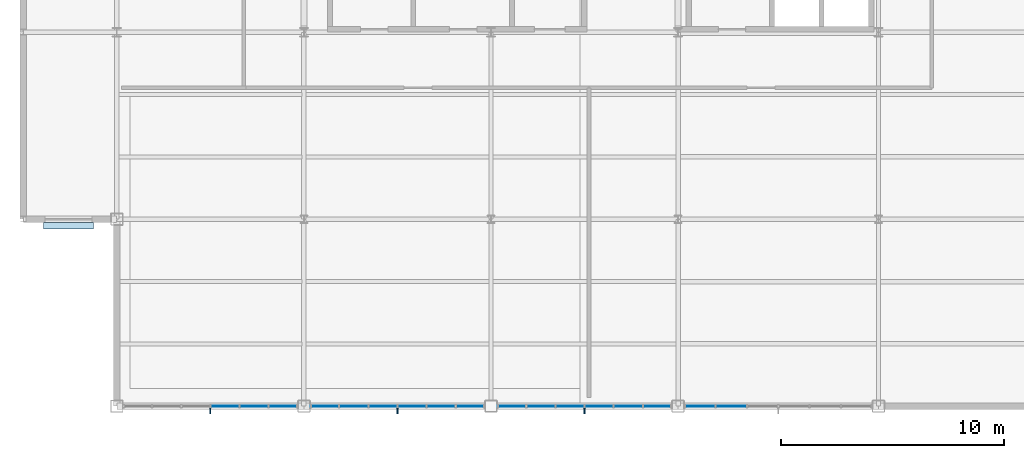
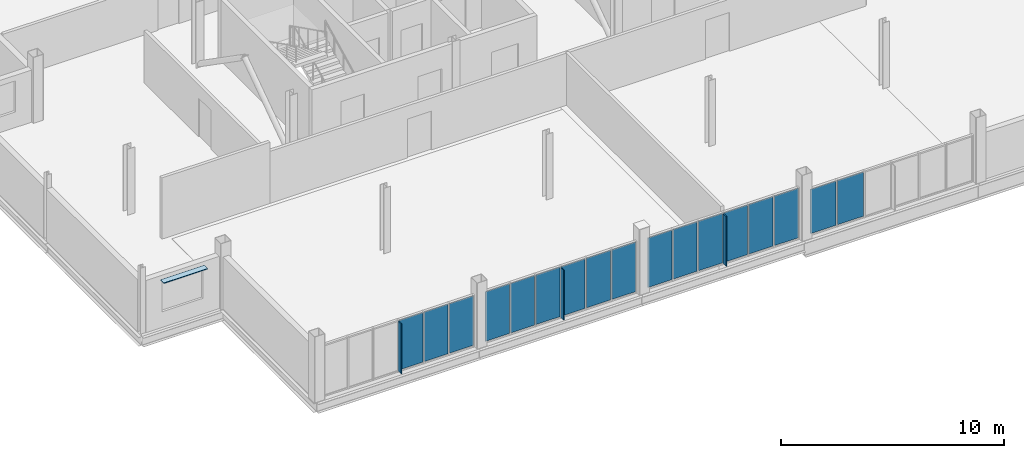
# One storey, part 11 of 18: 21 plates, 4 elements without a shape of their own.
"""IFC4 building model written with IfcOpenShell, lengths in metres."""

from ifc_helpers import new_model, si_unit, direction, frame, origin, origin_2d, place, context, subcontext, project, spatial, rectangle, extrude, material, layer, layer_set, type_object, element, aggregate, save


model = new_model("IFC4")

# Units and contexts
model_context = context("Model", 3, precision=1e-05, world=origin(), true_north=direction((0.0, 1.0)))
body_context = subcontext(model_context, "Body", "Model", "MODEL_VIEW")
ifc_project = project(units=[si_unit("LENGTHUNIT", "METRE"), si_unit("AREAUNIT", "SQUARE_METRE"), si_unit("VOLUMEUNIT", "CUBIC_METRE"), si_unit("PLANEANGLEUNIT", "RADIAN"), si_unit("MASSUNIT", "GRAM", prefix="KILO")], contexts=[model_context])

# Site, building, storey
site_placement = place(None, origin())
site = spatial("IfcSite", under=ifc_project, at=site_placement, CompositionType="ELEMENT")
building_placement = place(site_placement, origin())
building = spatial("IfcBuilding", under=site, at=building_placement, Name="Yukiwa Park Conservatory and Herbarium", CompositionType="ELEMENT")
storey_placement = place(building_placement, frame((0.0, 0.0, 24.60009765625)))
storey = spatial("IfcBuildingStorey", under=building, at=storey_placement, Name="L06", CompositionType="ELEMENT", Elevation=24.60009765625)

# Curtain wall, plates
ifc_material_1 = material(Name="Triple Low-E Insulated Glass", Category="glass")
ifc_layer_1 = layer(ifc_material_1, 0.248046875)
ifc_layer_set_1 = layer_set([ifc_layer_1], Name="Triple Low-E Insulated Glass")
curtain_wall_type = type_object("IfcCurtainWallType", Name="CW-TOWER-LAB-S-1400", PredefinedType="NOTDEFINED", material=ifc_layer_set_1)
curtain_wall_1_placement = place(storey_placement, origin())
curtain_wall_1 = element("IfcCurtainWall", 1, at=curtain_wall_1_placement, inside=storey, type_object=curtain_wall_type, Name="L06 unitised curtain wall CW-L06-082", PredefinedType="NOTDEFINED")
ifc_material_2 = material(Name="Triple Low-E Insulated Glass", Category="glass")
ifc_layer_2 = layer(ifc_material_2, 0.035888671875)
ifc_layer_set_2 = layer_set([ifc_layer_2], Name="Triple Low-E Insulated Glass")
plate_type_1 = type_object("IfcPlateType", Name="PL-CW-GLZ-36", PredefinedType="CURTAIN_PANEL", material=ifc_layer_set_2)
plate_1_placement = place(storey_placement, frame((129.654296875, 78.0, 0.06982421875), z_axis=(0.0, 0.0, 1.0), x_axis=(1.0, 0.0, 0.0)))
plate_1 = element("IfcPlate", 2, at=plate_1_placement, type_object=plate_type_1, Name="CW-L06-082 vision panel 4.1", PredefinedType="CURTAIN_PANEL", context=body_context, shape_type="SweptSolid", body=[
    extrude(rectangle(XDim=1.23828125, YDim=0.035888671875, at=origin_2d()), origin(), (0.0, 0.0, 1.0), 2.705078125),
])
plate_2_placement = place(storey_placement, frame((130.96240234375, 78.0, 0.06982421875), z_axis=(0.0, 0.0, 1.0), x_axis=(1.0, 0.0, 0.0)))
plate_2 = element("IfcPlate", 3, at=plate_2_placement, type_object=plate_type_1, Name="CW-L06-082 vision panel 5.1", PredefinedType="CURTAIN_PANEL", context=body_context, shape_type="SweptSolid", body=[
    extrude(rectangle(XDim=1.23828125, YDim=0.035888671875, at=origin_2d()), origin(), (0.0, 0.0, 1.0), 2.705078125),
])
plate_3_placement = place(storey_placement, frame((132.270751953125, 78.0, 0.06982421875), z_axis=(0.0, 0.0, 1.0), x_axis=(1.0, 0.0, 0.0)))
plate_3 = element("IfcPlate", 4, at=plate_3_placement, type_object=plate_type_1, Name="CW-L06-082 vision panel 6.1", PredefinedType="CURTAIN_PANEL", context=body_context, shape_type="SweptSolid", body=[
    extrude(rectangle(XDim=1.23828125, YDim=0.035888671875, at=origin_2d()), origin(), (0.0, 0.0, 1.0), 2.705078125),
])
aggregate(curtain_wall_1, [plate_1, plate_2, plate_3])

curtain_wall_2_placement = place(storey_placement, origin())
curtain_wall_2 = element("IfcCurtainWall", 5, at=curtain_wall_2_placement, inside=storey, type_object=curtain_wall_type, Name="L06 unitised curtain wall CW-L06-083", PredefinedType="NOTDEFINED")
plate_4_placement = place(storey_placement, frame((134.129150390625, 78.0, 0.06982421875), z_axis=(0.0, 0.0, 1.0), x_axis=(1.0, 0.0, 0.0)))
plate_4 = element("IfcPlate", 6, at=plate_4_placement, type_object=plate_type_1, Name="CW-L06-083 vision panel 1.1", PredefinedType="CURTAIN_PANEL", context=body_context, shape_type="SweptSolid", body=[
    extrude(rectangle(XDim=1.23828125, YDim=0.035888671875, at=origin_2d()), origin(), (0.0, 0.0, 1.0), 2.705078125),
])
plate_5_placement = place(storey_placement, frame((135.4375, 78.0, 0.06982421875), z_axis=(0.0, 0.0, 1.0), x_axis=(1.0, 0.0, 0.0)))
plate_5 = element("IfcPlate", 7, at=plate_5_placement, type_object=plate_type_1, Name="CW-L06-083 vision panel 2.1", PredefinedType="CURTAIN_PANEL", context=body_context, shape_type="SweptSolid", body=[
    extrude(rectangle(XDim=1.23828125, YDim=0.035888671875, at=origin_2d()), origin(), (0.0, 0.0, 1.0), 2.705078125),
])
plate_6_placement = place(storey_placement, frame((136.745849609375, 78.0, 0.06982421875), z_axis=(0.0, 0.0, 1.0), x_axis=(1.0, 0.0, 0.0)))
plate_6 = element("IfcPlate", 8, at=plate_6_placement, type_object=plate_type_1, Name="CW-L06-083 vision panel 3.1", PredefinedType="CURTAIN_PANEL", context=body_context, shape_type="SweptSolid", body=[
    extrude(rectangle(XDim=1.23828125, YDim=0.035888671875, at=origin_2d()), origin(), (0.0, 0.0, 1.0), 2.705078125),
])
plate_7_placement = place(storey_placement, frame((138.05419921875, 78.0, 0.06982421875), z_axis=(0.0, 0.0, 1.0), x_axis=(1.0, 0.0, 0.0)))
plate_7 = element("IfcPlate", 9, at=plate_7_placement, type_object=plate_type_1, Name="CW-L06-083 vision panel 4.1", PredefinedType="CURTAIN_PANEL", context=body_context, shape_type="SweptSolid", body=[
    extrude(rectangle(XDim=1.23828125, YDim=0.035888671875, at=origin_2d()), origin(), (0.0, 0.0, 1.0), 2.705078125),
])
plate_8_placement = place(storey_placement, frame((139.362548828125, 78.0, 0.06982421875), z_axis=(0.0, 0.0, 1.0), x_axis=(1.0, 0.0, 0.0)))
plate_8 = element("IfcPlate", 10, at=plate_8_placement, type_object=plate_type_1, Name="CW-L06-083 vision panel 5.1", PredefinedType="CURTAIN_PANEL", context=body_context, shape_type="SweptSolid", body=[
    extrude(rectangle(XDim=1.23828125, YDim=0.035888671875, at=origin_2d()), origin(), (0.0, 0.0, 1.0), 2.705078125),
])
plate_9_placement = place(storey_placement, frame((140.6708984375, 78.0, 0.06982421875), z_axis=(0.0, 0.0, 1.0), x_axis=(1.0, 0.0, 0.0)))
plate_9 = element("IfcPlate", 11, at=plate_9_placement, type_object=plate_type_1, Name="CW-L06-083 vision panel 6.1", PredefinedType="CURTAIN_PANEL", context=body_context, shape_type="SweptSolid", body=[
    extrude(rectangle(XDim=1.23828125, YDim=0.035888671875, at=origin_2d()), origin(), (0.0, 0.0, 1.0), 2.705078125),
])
aggregate(curtain_wall_2, [plate_4, plate_5, plate_6, plate_7, plate_8, plate_9])

curtain_wall_3_placement = place(storey_placement, origin())
curtain_wall_3 = element("IfcCurtainWall", 12, at=curtain_wall_3_placement, inside=storey, type_object=curtain_wall_type, Name="L06 unitised curtain wall CW-L06-084", PredefinedType="NOTDEFINED")
plate_10_placement = place(storey_placement, frame((142.529296875, 78.0, 0.06982421875), z_axis=(0.0, 0.0, 1.0), x_axis=(1.0, 0.0, 0.0)))
plate_10 = element("IfcPlate", 13, at=plate_10_placement, type_object=plate_type_1, Name="CW-L06-084 vision panel 1.1", PredefinedType="CURTAIN_PANEL", context=body_context, shape_type="SweptSolid", body=[
    extrude(rectangle(XDim=1.23828125, YDim=0.035888671875, at=origin_2d()), origin(), (0.0, 0.0, 1.0), 2.705078125),
])
plate_11_placement = place(storey_placement, frame((143.83740234375, 78.0, 0.06982421875), z_axis=(0.0, 0.0, 1.0), x_axis=(1.0, 0.0, 0.0)))
plate_11 = element("IfcPlate", 14, at=plate_11_placement, type_object=plate_type_1, Name="CW-L06-084 vision panel 2.1", PredefinedType="CURTAIN_PANEL", context=body_context, shape_type="SweptSolid", body=[
    extrude(rectangle(XDim=1.23828125, YDim=0.035888671875, at=origin_2d()), origin(), (0.0, 0.0, 1.0), 2.705078125),
])
plate_12_placement = place(storey_placement, frame((145.145751953125, 78.0, 0.06982421875), z_axis=(0.0, 0.0, 1.0), x_axis=(1.0, 0.0, 0.0)))
plate_12 = element("IfcPlate", 15, at=plate_12_placement, type_object=plate_type_1, Name="CW-L06-084 vision panel 3.1", PredefinedType="CURTAIN_PANEL", context=body_context, shape_type="SweptSolid", body=[
    extrude(rectangle(XDim=1.23828125, YDim=0.035888671875, at=origin_2d()), origin(), (0.0, 0.0, 1.0), 2.705078125),
])
plate_13_placement = place(storey_placement, frame((146.4541015625, 78.0, 0.06982421875), z_axis=(0.0, 0.0, 1.0), x_axis=(1.0, 0.0, 0.0)))
plate_13 = element("IfcPlate", 16, at=plate_13_placement, type_object=plate_type_1, Name="CW-L06-084 vision panel 4.1", PredefinedType="CURTAIN_PANEL", context=body_context, shape_type="SweptSolid", body=[
    extrude(rectangle(XDim=1.23828125, YDim=0.035888671875, at=origin_2d()), origin(), (0.0, 0.0, 1.0), 2.705078125),
])
plate_14_placement = place(storey_placement, frame((147.762451171875, 78.0, 0.06982421875), z_axis=(0.0, 0.0, 1.0), x_axis=(1.0, 0.0, 0.0)))
plate_14 = element("IfcPlate", 17, at=plate_14_placement, type_object=plate_type_1, Name="CW-L06-084 vision panel 5.1", PredefinedType="CURTAIN_PANEL", context=body_context, shape_type="SweptSolid", body=[
    extrude(rectangle(XDim=1.23828125, YDim=0.035888671875, at=origin_2d()), origin(), (0.0, 0.0, 1.0), 2.705078125),
])
plate_15_placement = place(storey_placement, frame((149.07080078125, 78.0, 0.06982421875), z_axis=(0.0, 0.0, 1.0), x_axis=(1.0, 0.0, 0.0)))
plate_15 = element("IfcPlate", 18, at=plate_15_placement, type_object=plate_type_1, Name="CW-L06-084 vision panel 6.1", PredefinedType="CURTAIN_PANEL", context=body_context, shape_type="SweptSolid", body=[
    extrude(rectangle(XDim=1.23828125, YDim=0.035888671875, at=origin_2d()), origin(), (0.0, 0.0, 1.0), 2.705078125),
])
aggregate(curtain_wall_3, [plate_10, plate_11, plate_12, plate_13, plate_14, plate_15])

curtain_wall_4_placement = place(storey_placement, origin())
curtain_wall_4 = element("IfcCurtainWall", 19, at=curtain_wall_4_placement, inside=storey, type_object=curtain_wall_type, Name="L06 unitised curtain wall CW-L06-085", PredefinedType="NOTDEFINED")
plate_16_placement = place(storey_placement, frame((150.979248046875, 78.0, 0.06982421875), z_axis=(0.0, 0.0, 1.0), x_axis=(1.0, 0.0, 0.0)))
plate_16 = element("IfcPlate", 20, at=plate_16_placement, type_object=plate_type_1, Name="CW-L06-085 vision panel 1.1", PredefinedType="CURTAIN_PANEL", context=body_context, shape_type="SweptSolid", body=[
    extrude(rectangle(XDim=1.33837890625, YDim=0.035888671875, at=origin_2d()), origin(), (0.0, 0.0, 1.0), 2.4130859375),
])
plate_17_placement = place(storey_placement, frame((152.387451171875, 78.0, 0.06982421875), z_axis=(0.0, 0.0, 1.0), x_axis=(1.0, 0.0, 0.0)))
plate_17 = element("IfcPlate", 21, at=plate_17_placement, type_object=plate_type_1, Name="CW-L06-085 vision panel 2.1", PredefinedType="CURTAIN_PANEL", context=body_context, shape_type="SweptSolid", body=[
    extrude(rectangle(XDim=1.33837890625, YDim=0.035888671875, at=origin_2d()), origin(), (0.0, 0.0, 1.0), 2.4130859375),
])
aggregate(curtain_wall_4, [plate_16, plate_17])

# Plates
ifc_material_3 = material(Name="Anodised Aluminium", Category="aluminium")
ifc_layer_3 = layer(ifc_material_3, 0.050048828125)
ifc_layer_set_3 = layer_set([ifc_layer_3], Name="Anodised Aluminium")
plate_type_2 = type_object("IfcPlateType", Name="PL-FIN-ALU-50", PredefinedType="USERDEFINED", material=ifc_layer_set_3)
for number, where, z_axis, x_axis, name in (
    (22, (129.0, 77.81005859375, 0.059814453125), (0.0, 0.0, 1.0), (1.0, 0.0, 0.0), "CW-L06-082 exterior vertical shading fin"),
    (23, (137.39990234375, 77.81005859375, 0.059814453125), (0.0, 0.0, 1.0), (1.0, 0.0, 0.0), "CW-L06-083 exterior vertical shading fin"),
    (24, (145.800048828125, 77.81005859375, 0.059814453125), (0.0, 0.0, 1.0), (1.0, 0.0, 0.0), "CW-L06-084 exterior vertical shading fin"),
):
    element("IfcPlate", number, at=place(storey_placement, frame(where, z_axis=z_axis, x_axis=x_axis)), inside=storey, type_object=plate_type_2, Name=name, ObjectType="SHADING FIN", PredefinedType="USERDEFINED", context=body_context, shape_type="SweptSolid", body=[
        extrude(rectangle(XDim=0.050048828125, YDim=0.280029296875, at=origin_2d()), origin(), (0.0, 0.0, 1.0), 2.72509765625),
    ])
ifc_material_4 = material(Name="Anodised Aluminium", Category="aluminium")
ifc_layer_4 = layer(ifc_material_4, 0.0400390625)
ifc_layer_set_4 = layer_set([ifc_layer_4], Name="Anodised Aluminium")
plate_type_3 = type_object("IfcPlateType", Name="PL-SHADE-ALU-40", PredefinedType="SHEET", material=ifc_layer_set_4)
plate_18_placement = place(storey_placement, frame((122.625, 86.110107421875, 2.58984375), z_axis=(0.0, 0.0, 1.0), x_axis=(1.0, 0.0, 0.0)))
element("IfcPlate", 25, at=plate_18_placement, inside=storey, type_object=plate_type_3, Name="L06 snow-shedding window hood 153", PredefinedType="SHEET", context=body_context, shape_type="SweptSolid", body=[
    extrude(rectangle(XDim=2.260009765625, YDim=0.300048828125, at=origin_2d()), origin(), (0.0, 0.0, 1.0), 0.0400390625),
])

save(model, "model.ifc")
